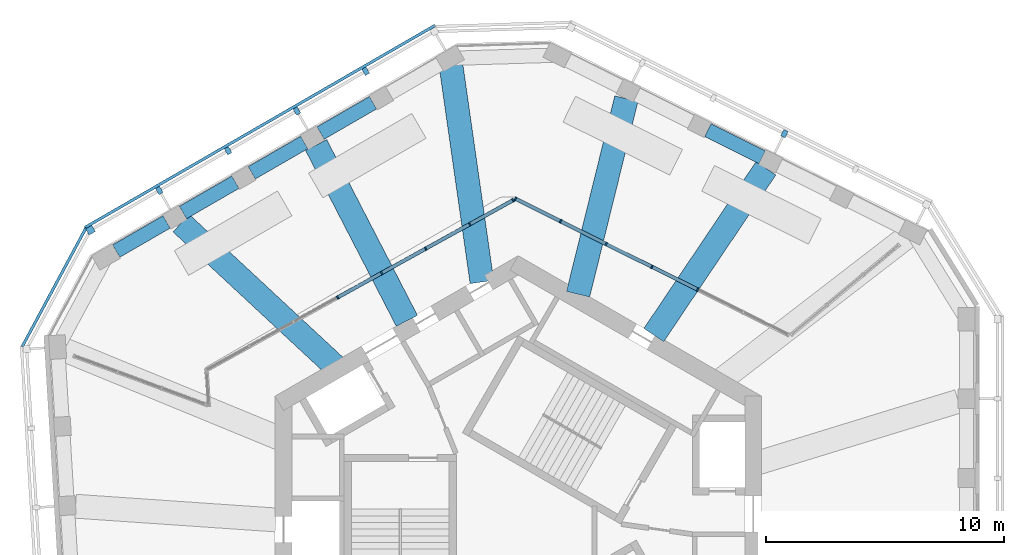
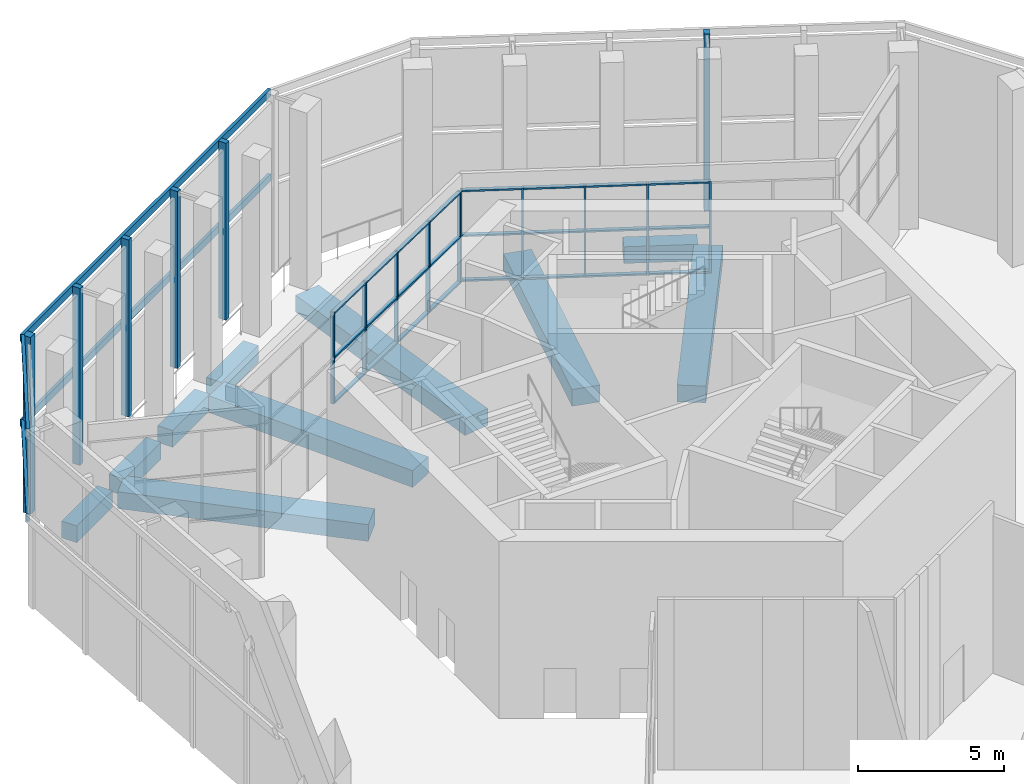
# One storey, part 4 of 16: 44 members, 10 beams, 5 elements without a shape of their own.
"""IFC4 building model written with IfcOpenShell, lengths in metres."""

from ifc_helpers import new_model, si_unit, direction, frame, origin, origin_2d, place, context, subcontext, project, spatial, rectangle, extrude, material, material_profile, profile_set, type_object, element, aggregate, save


model = new_model("IFC4")

# Units and contexts
model_context = context("Model", 3, precision=1e-05, world=origin(), true_north=direction((0.0, 1.0)))
body_context = subcontext(model_context, "Body", "Model", "MODEL_VIEW")
ifc_project = project(units=[si_unit("LENGTHUNIT", "METRE"), si_unit("AREAUNIT", "SQUARE_METRE"), si_unit("VOLUMEUNIT", "CUBIC_METRE"), si_unit("PLANEANGLEUNIT", "RADIAN"), si_unit("MASSUNIT", "GRAM", prefix="KILO")], contexts=[model_context])

# Site, building, storey
site_placement = place(None, origin())
site = spatial("IfcSite", under=ifc_project, at=site_placement, CompositionType="ELEMENT")
building_placement = place(site_placement, origin())
building = spatial("IfcBuilding", under=site, at=building_placement, Name="Vanh Sen Convention Tower", CompositionType="ELEMENT")
storey_placement = place(building_placement, frame((0.0, 0.0, 278.300048828125)))
storey = spatial("IfcBuildingStorey", under=building, at=storey_placement, Name="L69", CompositionType="ELEMENT", Elevation=278.300048828125)

# Curtain wall, members
ifc_material_1 = material(Name="Aluminium structural glazing system", Category="aluminium")
curtain_wall_type_1 = type_object("IfcCurtainWallType", Name="Sky garden structural glazing", PredefinedType="NOTDEFINED", material=ifc_material_1)
curtain_wall_1_placement = place(storey_placement, origin())
curtain_wall_1 = element("IfcCurtainWall", 1, at=curtain_wall_1_placement, inside=storey, type_object=curtain_wall_type_1, Name="Winter garden glazing 3 L69", PredefinedType="NOTDEFINED")
ifc_material_2 = material(Name="Aluminium mullion", Category="aluminium")
ifc_material_profile_1 = material_profile(ifc_material_2, rectangle(XDim=0.14990234375, YDim=0.070068359375, at=origin_2d()), Name="Garden glazing mullion 70 x 150")
ifc_profile_set_1 = profile_set([ifc_material_profile_1], Name="Aluminium mullion")
member_type_1 = type_object("IfcMemberType", Name="Garden glazing mullion 70 x 150", PredefinedType="MULLION", material=ifc_profile_set_1)
member_1_placement = place(storey_placement, frame((-7.576171875, 10.028076171875, 2.599853515625), z_axis=(0.0, 0.0, 1.0), x_axis=(-0.484738524975, 0.874659112115, 0.0)))
member_1 = element("IfcMember", 2, at=member_1_placement, type_object=member_type_1, Name="CW5 mullion 4", PredefinedType="MULLION", context=body_context, shape_type="SweptSolid", body=[
    extrude(rectangle(XDim=0.14990234375, YDim=0.070068359375, at=origin_2d()), origin(), (0.0, 0.0, 1.0), 3.820068359375),
])
member_2_placement = place(storey_placement, frame((-5.729248046875, 11.0517578125, 2.599853515625), z_axis=(0.0, 0.0, 1.0), x_axis=(-0.484738524975, 0.874659112115, 0.0)))
member_2 = element("IfcMember", 3, at=member_2_placement, type_object=member_type_1, Name="CW5 mullion 5", PredefinedType="MULLION", context=body_context, shape_type="SweptSolid", body=[
    extrude(rectangle(XDim=0.14990234375, YDim=0.070068359375, at=origin_2d()), origin(), (0.0, 0.0, 1.0), 3.820068359375),
])
member_3_placement = place(storey_placement, frame((-3.88232421875, 12.0751953125, 2.599853515625), z_axis=(0.0, 0.0, 1.0), x_axis=(-0.484738524975, 0.874659112115, 0.0)))
member_3 = element("IfcMember", 4, at=member_3_placement, type_object=member_type_1, Name="CW5 mullion 6", PredefinedType="MULLION", context=body_context, shape_type="SweptSolid", body=[
    extrude(rectangle(XDim=0.14990234375, YDim=0.070068359375, at=origin_2d()), origin(), (0.0, 0.0, 1.0), 3.820068359375),
])
member_4_placement = place(storey_placement, frame((-2.035400390625, 13.098876953125, 2.599853515625), z_axis=(0.0, 0.0, 1.0), x_axis=(-0.484738524975, 0.874659112115, 0.0)))
member_4 = element("IfcMember", 5, at=member_4_placement, type_object=member_type_1, Name="CW5 mullion 7", PredefinedType="MULLION", context=body_context, shape_type="SweptSolid", body=[
    extrude(rectangle(XDim=0.14990234375, YDim=0.070068359375, at=origin_2d()), origin(), (0.0, 0.0, 1.0), 3.820068359375),
])
member_5_placement = place(storey_placement, frame((-0.21923828125, 14.10546875, 2.599853515625), z_axis=(0.0, 0.0, 1.0), x_axis=(-0.484738524975, 0.874659112115, 0.0)))
member_5 = element("IfcMember", 6, at=member_5_placement, type_object=member_type_1, Name="CW5 mullion 8", PredefinedType="MULLION", context=body_context, shape_type="SweptSolid", body=[
    extrude(rectangle(XDim=0.14990234375, YDim=0.070068359375, at=origin_2d()), origin(), (0.0, 0.0, 1.0), 3.820068359375),
])

curtain_wall_2_placement = place(storey_placement, origin())
curtain_wall_2 = element("IfcCurtainWall", 7, at=curtain_wall_2_placement, inside=storey, type_object=curtain_wall_type_1, Name="Winter garden glazing 4 L69", PredefinedType="NOTDEFINED")
member_6_placement = place(storey_placement, frame((-0.11767578125, 14.165771484375, 2.599853515625), z_axis=(0.0, 0.0, 1.0), x_axis=(0.446199060096, 0.894933739876, 0.0)))
member_6 = element("IfcMember", 8, at=member_6_placement, type_object=member_type_1, Name="CW5 mullion 1", PredefinedType="MULLION", context=body_context, shape_type="SweptSolid", body=[
    extrude(rectangle(XDim=0.14990234375, YDim=0.070068359375, at=origin_2d()), origin(), (0.0, 0.0, 1.0), 3.820068359375),
])
member_7_placement = place(storey_placement, frame((1.7685546875, 13.225341796875, 2.599853515625), z_axis=(0.0, 0.0, 1.0), x_axis=(0.446199060096, 0.894933739876, 0.0)))
member_7 = element("IfcMember", 9, at=member_7_placement, type_object=member_type_1, Name="CW5 mullion 2", PredefinedType="MULLION", context=body_context, shape_type="SweptSolid", body=[
    extrude(rectangle(XDim=0.14990234375, YDim=0.070068359375, at=origin_2d()), origin(), (0.0, 0.0, 1.0), 3.820068359375),
])
member_8_placement = place(storey_placement, frame((3.686279296875, 12.269287109375, 2.599853515625), z_axis=(0.0, 0.0, 1.0), x_axis=(0.446199060096, 0.894933739876, 0.0)))
member_8 = element("IfcMember", 10, at=member_8_placement, type_object=member_type_1, Name="CW5 mullion 3", PredefinedType="MULLION", context=body_context, shape_type="SweptSolid", body=[
    extrude(rectangle(XDim=0.14990234375, YDim=0.070068359375, at=origin_2d()), origin(), (0.0, 0.0, 1.0), 3.820068359375),
])
member_9_placement = place(storey_placement, frame((5.60400390625, 11.313232421875, 2.599853515625), z_axis=(0.0, 0.0, 1.0), x_axis=(0.446199060096, 0.894933739876, 0.0)))
member_9 = element("IfcMember", 11, at=member_9_placement, type_object=member_type_1, Name="CW5 mullion 4", PredefinedType="MULLION", context=body_context, shape_type="SweptSolid", body=[
    extrude(rectangle(XDim=0.14990234375, YDim=0.070068359375, at=origin_2d()), origin(), (0.0, 0.0, 1.0), 3.820068359375),
])
member_10_placement = place(storey_placement, frame((7.521484375, 10.35693359375, 2.599853515625), z_axis=(0.0, 0.0, 1.0), x_axis=(0.446199060096, 0.894933739876, 0.0)))
member_10 = element("IfcMember", 12, at=member_10_placement, type_object=member_type_1, Name="CW5 mullion 5", PredefinedType="MULLION", context=body_context, shape_type="SweptSolid", body=[
    extrude(rectangle(XDim=0.14990234375, YDim=0.070068359375, at=origin_2d()), origin(), (0.0, 0.0, 1.0), 3.820068359375),
])

# Member
ifc_material_3 = material(Name="Aluminium transom", Category="aluminium")
ifc_material_profile_2 = material_profile(ifc_material_3, rectangle(XDim=0.14990234375, YDim=0.070068359375, at=origin_2d()), Name="Garden glazing transom 150 x 70")
ifc_profile_set_2 = profile_set([ifc_material_profile_2], Name="Aluminium transom")
member_type_2 = type_object("IfcMemberType", Name="Garden glazing transom 150 x 70", PredefinedType="USERDEFINED", material=ifc_profile_set_2)
member_11_placement = place(storey_placement, frame((-7.545654296875, 10.045166015625, 2.635009765625), z_axis=(0.874681382658, 0.48469833797, 0.0), x_axis=(-0.48469833797, 0.874681382658, 0.0)))
member_11 = element("IfcMember", 13, at=member_11_placement, type_object=member_type_2, Name="CW5 transom 4.1", ObjectType="TRANSOM", PredefinedType="USERDEFINED", context=body_context, shape_type="SweptSolid", body=[
    extrude(rectangle(XDim=0.14990234375, YDim=0.070068359375, at=origin_2d()), origin(), (0.0, 0.0, 1.0), 2.04150390625),
])

member_12_placement = place(storey_placement, frame((-7.545654296875, 10.045166015625, 4.510009765625), z_axis=(0.874681382658, 0.48469833797, 0.0), x_axis=(-0.48469833797, 0.874681382658, 0.0)))
member_12 = element("IfcMember", 14, at=member_12_placement, type_object=member_type_2, Name="CW5 transom 4.2", ObjectType="TRANSOM", PredefinedType="USERDEFINED", context=body_context, shape_type="SweptSolid", body=[
    extrude(rectangle(XDim=0.14990234375, YDim=0.070068359375, at=origin_2d()), origin(), (0.0, 0.0, 1.0), 2.04150390625),
])

member_13_placement = place(storey_placement, frame((-7.545654296875, 10.045166015625, 6.385009765625), z_axis=(0.874681382658, 0.48469833797, 0.0), x_axis=(-0.48469833797, 0.874681382658, 0.0)))
member_13 = element("IfcMember", 15, at=member_13_placement, type_object=member_type_2, Name="CW5 transom 4.3", ObjectType="TRANSOM", PredefinedType="USERDEFINED", context=body_context, shape_type="SweptSolid", body=[
    extrude(rectangle(XDim=0.14990234375, YDim=0.070068359375, at=origin_2d()), origin(), (0.0, 0.0, 1.0), 2.04150390625),
])

member_14_placement = place(storey_placement, frame((-5.69873046875, 11.068603515625, 2.635009765625), z_axis=(0.874630679834, 0.484789824453, 0.0), x_axis=(-0.484789824453, 0.874630679834, 0.0)))
member_14 = element("IfcMember", 16, at=member_14_placement, type_object=member_type_2, Name="CW5 transom 5.1", ObjectType="TRANSOM", PredefinedType="USERDEFINED", context=body_context, shape_type="SweptSolid", body=[
    extrude(rectangle(XDim=0.14990234375, YDim=0.070068359375, at=origin_2d()), origin(), (0.0, 0.0, 1.0), 2.04150390625),
])

member_15_placement = place(storey_placement, frame((-5.69873046875, 11.068603515625, 4.510009765625), z_axis=(0.874630679834, 0.484789824453, 0.0), x_axis=(-0.484789824453, 0.874630679834, 0.0)))
member_15 = element("IfcMember", 17, at=member_15_placement, type_object=member_type_2, Name="CW5 transom 5.2", ObjectType="TRANSOM", PredefinedType="USERDEFINED", context=body_context, shape_type="SweptSolid", body=[
    extrude(rectangle(XDim=0.14990234375, YDim=0.070068359375, at=origin_2d()), origin(), (0.0, 0.0, 1.0), 2.04150390625),
])

member_16_placement = place(storey_placement, frame((-5.69873046875, 11.068603515625, 6.385009765625), z_axis=(0.874630679834, 0.484789824453, 0.0), x_axis=(-0.484789824453, 0.874630679834, 0.0)))
member_16 = element("IfcMember", 18, at=member_16_placement, type_object=member_type_2, Name="CW5 transom 5.3", ObjectType="TRANSOM", PredefinedType="USERDEFINED", context=body_context, shape_type="SweptSolid", body=[
    extrude(rectangle(XDim=0.14990234375, YDim=0.070068359375, at=origin_2d()), origin(), (0.0, 0.0, 1.0), 2.04150390625),
])

member_17_placement = place(storey_placement, frame((-3.851806640625, 12.09228515625, 2.635009765625), z_axis=(0.874681382658, 0.48469833797, 0.0), x_axis=(-0.48469833797, 0.874681382658, 0.0)))
member_17 = element("IfcMember", 19, at=member_17_placement, type_object=member_type_2, Name="CW5 transom 6.1", ObjectType="TRANSOM", PredefinedType="USERDEFINED", context=body_context, shape_type="SweptSolid", body=[
    extrude(rectangle(XDim=0.14990234375, YDim=0.070068359375, at=origin_2d()), origin(), (0.0, 0.0, 1.0), 2.04150390625),
])

member_18_placement = place(storey_placement, frame((-3.851806640625, 12.09228515625, 4.510009765625), z_axis=(0.874681382658, 0.48469833797, 0.0), x_axis=(-0.48469833797, 0.874681382658, 0.0)))
member_18 = element("IfcMember", 20, at=member_18_placement, type_object=member_type_2, Name="CW5 transom 6.2", ObjectType="TRANSOM", PredefinedType="USERDEFINED", context=body_context, shape_type="SweptSolid", body=[
    extrude(rectangle(XDim=0.14990234375, YDim=0.070068359375, at=origin_2d()), origin(), (0.0, 0.0, 1.0), 2.04150390625),
])

member_19_placement = place(storey_placement, frame((-3.851806640625, 12.09228515625, 6.385009765625), z_axis=(0.874681382658, 0.48469833797, 0.0), x_axis=(-0.48469833797, 0.874681382658, 0.0)))
member_19 = element("IfcMember", 21, at=member_19_placement, type_object=member_type_2, Name="CW5 transom 6.3", ObjectType="TRANSOM", PredefinedType="USERDEFINED", context=body_context, shape_type="SweptSolid", body=[
    extrude(rectangle(XDim=0.14990234375, YDim=0.070068359375, at=origin_2d()), origin(), (0.0, 0.0, 1.0), 2.04150390625),
])

member_20_placement = place(storey_placement, frame((-2.0048828125, 13.11572265625, 2.635009765625), z_axis=(0.874667566522, 0.484723269582, 0.0), x_axis=(-0.484723269582, 0.874667566522, 0.0)))
member_20 = element("IfcMember", 22, at=member_20_placement, type_object=member_type_2, Name="CW5 transom 7.1", ObjectType="TRANSOM", PredefinedType="USERDEFINED", context=body_context, shape_type="SweptSolid", body=[
    extrude(rectangle(XDim=0.14990234375, YDim=0.070068359375, at=origin_2d()), origin(), (0.0, 0.0, 1.0), 2.006591796875),
])

member_21_placement = place(storey_placement, frame((-2.0048828125, 13.11572265625, 4.510009765625), z_axis=(0.874667566522, 0.484723269582, 0.0), x_axis=(-0.484723269582, 0.874667566522, 0.0)))
member_21 = element("IfcMember", 23, at=member_21_placement, type_object=member_type_2, Name="CW5 transom 7.2", ObjectType="TRANSOM", PredefinedType="USERDEFINED", context=body_context, shape_type="SweptSolid", body=[
    extrude(rectangle(XDim=0.14990234375, YDim=0.070068359375, at=origin_2d()), origin(), (0.0, 0.0, 1.0), 2.006591796875),
])

member_22_placement = place(storey_placement, frame((-2.0048828125, 13.11572265625, 6.385009765625), z_axis=(0.874667566522, 0.484723269582, 0.0), x_axis=(-0.484723269582, 0.874667566522, 0.0)))
member_22 = element("IfcMember", 24, at=member_22_placement, type_object=member_type_2, Name="CW5 transom 7.3", ObjectType="TRANSOM", PredefinedType="USERDEFINED", context=body_context, shape_type="SweptSolid", body=[
    extrude(rectangle(XDim=0.14990234375, YDim=0.070068359375, at=origin_2d()), origin(), (0.0, 0.0, 1.0), 2.006591796875),
])

aggregate(curtain_wall_1, [member_1, member_2, member_3, member_4, member_5, member_11, member_12, member_13, member_14, member_15, member_16, member_17, member_18, member_19, member_20, member_21, member_22])

member_23_placement = place(storey_placement, frame((-0.08642578125, 14.150146484375, 2.635009765625), z_axis=(0.894953717737, -0.446158988601, 0.0), x_axis=(0.446158988601, 0.894953717737, 0.0)))
member_23 = element("IfcMember", 25, at=member_23_placement, type_object=member_type_2, Name="CW5 transom 1.1", ObjectType="TRANSOM", PredefinedType="USERDEFINED", context=body_context, shape_type="SweptSolid", body=[
    extrude(rectangle(XDim=0.14990234375, YDim=0.070068359375, at=origin_2d()), origin(), (0.0, 0.0, 1.0), 2.037841796875),
])

member_24_placement = place(storey_placement, frame((-0.08642578125, 14.150146484375, 4.510009765625), z_axis=(0.894953717737, -0.446158988601, 0.0), x_axis=(0.446158988601, 0.894953717737, 0.0)))
member_24 = element("IfcMember", 26, at=member_24_placement, type_object=member_type_2, Name="CW5 transom 1.2", ObjectType="TRANSOM", PredefinedType="USERDEFINED", context=body_context, shape_type="SweptSolid", body=[
    extrude(rectangle(XDim=0.14990234375, YDim=0.070068359375, at=origin_2d()), origin(), (0.0, 0.0, 1.0), 2.037841796875),
])

member_25_placement = place(storey_placement, frame((-0.08642578125, 14.150146484375, 6.385009765625), z_axis=(0.894953717737, -0.446158988601, 0.0), x_axis=(0.446158988601, 0.894953717737, 0.0)))
member_25 = element("IfcMember", 27, at=member_25_placement, type_object=member_type_2, Name="CW5 transom 1.3", ObjectType="TRANSOM", PredefinedType="USERDEFINED", context=body_context, shape_type="SweptSolid", body=[
    extrude(rectangle(XDim=0.14990234375, YDim=0.070068359375, at=origin_2d()), origin(), (0.0, 0.0, 1.0), 2.037841796875),
])

member_26_placement = place(storey_placement, frame((1.7998046875, 13.209716796875, 2.635009765625), z_axis=(0.894968297321, -0.446129742105, 0.0), x_axis=(0.446129742105, 0.894968297321, 0.0)))
member_26 = element("IfcMember", 28, at=member_26_placement, type_object=member_type_2, Name="CW5 transom 2.1", ObjectType="TRANSOM", PredefinedType="USERDEFINED", context=body_context, shape_type="SweptSolid", body=[
    extrude(rectangle(XDim=0.14990234375, YDim=0.070068359375, at=origin_2d()), origin(), (0.0, 0.0, 1.0), 2.072998046875),
])

member_27_placement = place(storey_placement, frame((1.7998046875, 13.209716796875, 4.510009765625), z_axis=(0.894968297321, -0.446129742105, 0.0), x_axis=(0.446129742105, 0.894968297321, 0.0)))
member_27 = element("IfcMember", 29, at=member_27_placement, type_object=member_type_2, Name="CW5 transom 2.2", ObjectType="TRANSOM", PredefinedType="USERDEFINED", context=body_context, shape_type="SweptSolid", body=[
    extrude(rectangle(XDim=0.14990234375, YDim=0.070068359375, at=origin_2d()), origin(), (0.0, 0.0, 1.0), 2.072998046875),
])

member_28_placement = place(storey_placement, frame((1.7998046875, 13.209716796875, 6.385009765625), z_axis=(0.894968297321, -0.446129742105, 0.0), x_axis=(0.446129742105, 0.894968297321, 0.0)))
member_28 = element("IfcMember", 30, at=member_28_placement, type_object=member_type_2, Name="CW5 transom 2.3", ObjectType="TRANSOM", PredefinedType="USERDEFINED", context=body_context, shape_type="SweptSolid", body=[
    extrude(rectangle(XDim=0.14990234375, YDim=0.070068359375, at=origin_2d()), origin(), (0.0, 0.0, 1.0), 2.072998046875),
])

member_29_placement = place(storey_placement, frame((3.717529296875, 12.253662109375, 2.635009765625), z_axis=(0.894944852753, -0.446176770496, 0.0), x_axis=(0.446176770496, 0.894944852753, 0.0)))
member_29 = element("IfcMember", 31, at=member_29_placement, type_object=member_type_2, Name="CW5 transom 3.1", ObjectType="TRANSOM", PredefinedType="USERDEFINED", context=body_context, shape_type="SweptSolid", body=[
    extrude(rectangle(XDim=0.14990234375, YDim=0.070068359375, at=origin_2d()), origin(), (0.0, 0.0, 1.0), 2.07275390625),
])

member_30_placement = place(storey_placement, frame((3.717529296875, 12.253662109375, 4.510009765625), z_axis=(0.894944852753, -0.446176770496, 0.0), x_axis=(0.446176770496, 0.894944852753, 0.0)))
member_30 = element("IfcMember", 32, at=member_30_placement, type_object=member_type_2, Name="CW5 transom 3.2", ObjectType="TRANSOM", PredefinedType="USERDEFINED", context=body_context, shape_type="SweptSolid", body=[
    extrude(rectangle(XDim=0.14990234375, YDim=0.070068359375, at=origin_2d()), origin(), (0.0, 0.0, 1.0), 2.07275390625),
])

member_31_placement = place(storey_placement, frame((3.717529296875, 12.253662109375, 6.385009765625), z_axis=(0.894944852753, -0.446176770496, 0.0), x_axis=(0.446176770496, 0.894944852753, 0.0)))
member_31 = element("IfcMember", 33, at=member_31_placement, type_object=member_type_2, Name="CW5 transom 3.3", ObjectType="TRANSOM", PredefinedType="USERDEFINED", context=body_context, shape_type="SweptSolid", body=[
    extrude(rectangle(XDim=0.14990234375, YDim=0.070068359375, at=origin_2d()), origin(), (0.0, 0.0, 1.0), 2.07275390625),
])

member_32_placement = place(storey_placement, frame((5.63525390625, 11.297607421875, 2.635009765625), z_axis=(0.89489781752, -0.446271101683, 0.0), x_axis=(0.446271101683, 0.89489781752, 0.0)))
member_32 = element("IfcMember", 34, at=member_32_placement, type_object=member_type_2, Name="CW5 transom 4.1", ObjectType="TRANSOM", PredefinedType="USERDEFINED", context=body_context, shape_type="SweptSolid", body=[
    extrude(rectangle(XDim=0.14990234375, YDim=0.070068359375, at=origin_2d()), origin(), (0.0, 0.0, 1.0), 2.07275390625),
])

member_33_placement = place(storey_placement, frame((5.63525390625, 11.297607421875, 4.510009765625), z_axis=(0.89489781752, -0.446271101683, 0.0), x_axis=(0.446271101683, 0.89489781752, 0.0)))
member_33 = element("IfcMember", 35, at=member_33_placement, type_object=member_type_2, Name="CW5 transom 4.2", ObjectType="TRANSOM", PredefinedType="USERDEFINED", context=body_context, shape_type="SweptSolid", body=[
    extrude(rectangle(XDim=0.14990234375, YDim=0.070068359375, at=origin_2d()), origin(), (0.0, 0.0, 1.0), 2.07275390625),
])

member_34_placement = place(storey_placement, frame((5.63525390625, 11.297607421875, 6.385009765625), z_axis=(0.89489781752, -0.446271101683, 0.0), x_axis=(0.446271101683, 0.89489781752, 0.0)))
member_34 = element("IfcMember", 36, at=member_34_placement, type_object=member_type_2, Name="CW5 transom 4.3", ObjectType="TRANSOM", PredefinedType="USERDEFINED", context=body_context, shape_type="SweptSolid", body=[
    extrude(rectangle(XDim=0.14990234375, YDim=0.070068359375, at=origin_2d()), origin(), (0.0, 0.0, 1.0), 2.07275390625),
])

aggregate(curtain_wall_2, [member_6, member_7, member_8, member_9, member_10, member_23, member_24, member_25, member_26, member_27, member_28, member_29, member_30, member_31, member_32, member_33, member_34])

# Curtain wall, member
ifc_material_4 = material(Name="Concrete C50/60", Category="concrete")
curtain_wall_type_2 = type_object("IfcCurtainWallType", Name="Outer skin office zone", PredefinedType="NOTDEFINED", material=ifc_material_4)
curtain_wall_3_placement = place(storey_placement, origin())
curtain_wall_3 = element("IfcCurtainWall", 37, at=curtain_wall_3_placement, inside=storey, type_object=curtain_wall_type_2, Name="OUTER SKIN NW L69", PredefinedType="NOTDEFINED")
ifc_material_profile_3 = material_profile(ifc_material_4, rectangle(XDim=0.300048828125, YDim=0.300048828125, at=origin_2d()), Name="Outer skin precast corner fin 300 x 300")
ifc_profile_set_3 = profile_set([ifc_material_profile_3], Name="Concrete C50/60")
member_type_3 = type_object("IfcMemberType", Name="Outer skin precast corner fin 300 x 300", PredefinedType="MULLION", material=ifc_profile_set_3)
member_35_placement = place(storey_placement, frame((-17.94091796875, 12.851318359375, 0.0), z_axis=(0.0, 0.0, 1.0), x_axis=(-0.866025403784, -0.5, 0.0)))
member_35 = element("IfcMember", 38, at=member_35_placement, type_object=member_type_3, Name="OUTER SKIN CORNER FIN 6 NW L69", PredefinedType="MULLION", context=body_context, shape_type="SweptSolid", body=[
    extrude(rectangle(XDim=0.300048828125, YDim=0.300048828125, at=origin_2d()), origin(), (0.0, 0.0, 1.0), 7.39990234375),
])

curtain_wall_4_placement = place(storey_placement, origin())
curtain_wall_4 = element("IfcCurtainWall", 39, at=curtain_wall_4_placement, inside=storey, type_object=curtain_wall_type_2, Name="OUTER SKIN NE L69", PredefinedType="NOTDEFINED")
ifc_material_profile_4 = material_profile(ifc_material_4, rectangle(XDim=0.199951171875, YDim=0.300048828125, at=origin_2d()), Name="Outer skin precast fin 200 x 300")
ifc_profile_set_4 = profile_set([ifc_material_profile_4], Name="Concrete C50/60")
member_type_4 = type_object("IfcMemberType", Name="Outer skin precast fin 200 x 300", PredefinedType="MULLION", material=ifc_profile_set_4)
member_36_placement = place(storey_placement, frame((11.15966796875, 16.895751953125, 0.0), z_axis=(0.0, 0.0, 1.0), x_axis=(-0.894934361602, 0.44619781311, 0.0)))
member_36 = element("IfcMember", 40, at=member_36_placement, type_object=member_type_4, Name="OUTER SKIN fin 3 NE L69", PredefinedType="MULLION", context=body_context, shape_type="SweptSolid", body=[
    extrude(rectangle(XDim=0.199951171875, YDim=0.300048828125, at=origin_2d()), origin(), (0.0, 0.0, 1.0), 7.39990234375),
])
aggregate(curtain_wall_4, [member_36])

# Member
member_37_placement = place(storey_placement, frame((-6.399658203125, 19.5146484375, 0.0), z_axis=(0.0, 0.0, 1.0), x_axis=(-0.866025403784, -0.5, 0.0)))
member_37 = element("IfcMember", 41, at=member_37_placement, type_object=member_type_4, Name="OUTER SKIN fin 2 NW L69", PredefinedType="MULLION", context=body_context, shape_type="SweptSolid", body=[
    extrude(rectangle(XDim=0.199951171875, YDim=0.300048828125, at=origin_2d()), origin(), (0.0, 0.0, 1.0), 7.39990234375),
])

member_38_placement = place(storey_placement, frame((-9.284912109375, 17.848876953125, 0.0), z_axis=(0.0, 0.0, 1.0), x_axis=(-0.866025403784, -0.5, 0.0)))
member_38 = element("IfcMember", 42, at=member_38_placement, type_object=member_type_4, Name="OUTER SKIN fin 3 NW L69", PredefinedType="MULLION", context=body_context, shape_type="SweptSolid", body=[
    extrude(rectangle(XDim=0.199951171875, YDim=0.300048828125, at=origin_2d()), origin(), (0.0, 0.0, 1.0), 7.39990234375),
])

member_39_placement = place(storey_placement, frame((-12.170166015625, 16.18310546875, 0.0), z_axis=(0.0, 0.0, 1.0), x_axis=(-0.866025403784, -0.5, 0.0)))
member_39 = element("IfcMember", 43, at=member_39_placement, type_object=member_type_4, Name="OUTER SKIN fin 4 NW L69", PredefinedType="MULLION", context=body_context, shape_type="SweptSolid", body=[
    extrude(rectangle(XDim=0.199951171875, YDim=0.300048828125, at=origin_2d()), origin(), (0.0, 0.0, 1.0), 7.39990234375),
])

member_40_placement = place(storey_placement, frame((-15.055419921875, 14.51708984375, 0.0), z_axis=(0.0, 0.0, 1.0), x_axis=(-0.866025403784, -0.5, 0.0)))
member_40 = element("IfcMember", 44, at=member_40_placement, type_object=member_type_4, Name="OUTER SKIN fin 5 NW L69", PredefinedType="MULLION", context=body_context, shape_type="SweptSolid", body=[
    extrude(rectangle(XDim=0.199951171875, YDim=0.300048828125, at=origin_2d()), origin(), (0.0, 0.0, 1.0), 7.39990234375),
])

ifc_material_profile_5 = material_profile(ifc_material_4, rectangle(XDim=0.1201171875, YDim=0.300048828125, at=origin_2d()), Name="Outer skin precast spandrel band 300 x 120")
ifc_profile_set_5 = profile_set([ifc_material_profile_5], Name="Concrete C50/60")
member_type_5 = type_object("IfcMemberType", Name="Outer skin precast spandrel band 300 x 120", PredefinedType="USERDEFINED", material=ifc_profile_set_5)
member_41_placement = place(storey_placement, frame((-3.489501953125, 21.4375, 7.25), z_axis=(-0.866022320763, -0.500005339912, 0.0), x_axis=(0.500005339912, -0.866022320763, 0.0)))
member_41 = element("IfcMember", 45, at=member_41_placement, type_object=member_type_5, Name="OUTER SKIN spandrel band NW L69", ObjectType="TRANSOM", PredefinedType="USERDEFINED", context=body_context, shape_type="SweptSolid", body=[
    extrude(rectangle(XDim=0.1201171875, YDim=0.300048828125, at=origin_2d()), origin(), (0.0, 0.0, 1.0), 16.958251953125),
])

member_42_placement = place(storey_placement, frame((-3.489501953125, 21.4375, 3.699951171875), z_axis=(-0.866022320763, -0.500005339912, 0.0), x_axis=(0.500005339912, -0.866022320763, 0.0)))
member_42 = element("IfcMember", 46, at=member_42_placement, type_object=member_type_5, Name="OUTER SKIN spandrel band NW L69 mid", ObjectType="TRANSOM", PredefinedType="USERDEFINED", context=body_context, shape_type="SweptSolid", body=[
    extrude(rectangle(XDim=0.1201171875, YDim=0.300048828125, at=origin_2d()), origin(), (0.0, 0.0, 1.0), 16.958251953125),
])

aggregate(curtain_wall_3, [member_37, member_38, member_39, member_40, member_35, member_41, member_42])

# Curtain wall, members
curtain_wall_5_placement = place(storey_placement, origin())
curtain_wall_5 = element("IfcCurtainWall", 47, at=curtain_wall_5_placement, inside=storey, type_object=curtain_wall_type_2, Name="OUTER SKIN CH3 L69", PredefinedType="NOTDEFINED")
member_43_placement = place(storey_placement, frame((-18.125732421875, 12.95068359375, 7.25), z_axis=(-0.473325096028, -0.880887821161, 0.0), x_axis=(0.880887821161, -0.473325096028, 0.0)))
member_43 = element("IfcMember", 48, at=member_43_placement, type_object=member_type_5, Name="OUTER SKIN spandrel band CH3 L69", ObjectType="TRANSOM", PredefinedType="USERDEFINED", context=body_context, shape_type="SweptSolid", body=[
    extrude(rectangle(XDim=0.1201171875, YDim=0.300048828125, at=origin_2d()), origin(), (0.0, 0.0, 1.0), 5.65771484375),
])
member_44_placement = place(storey_placement, frame((-18.125732421875, 12.95068359375, 3.699951171875), z_axis=(-0.473325096028, -0.880887821161, 0.0), x_axis=(0.880887821161, -0.473325096028, 0.0)))
member_44 = element("IfcMember", 49, at=member_44_placement, type_object=member_type_5, Name="OUTER SKIN spandrel band CH3 L69 mid", ObjectType="TRANSOM", PredefinedType="USERDEFINED", context=body_context, shape_type="SweptSolid", body=[
    extrude(rectangle(XDim=0.1201171875, YDim=0.300048828125, at=origin_2d()), origin(), (0.0, 0.0, 1.0), 5.65771484375),
])
aggregate(curtain_wall_5, [member_43, member_44])

# Beams
ifc_material_5 = material(Name="Concrete C50/60", Category="concrete")
ifc_material_profile_6 = material_profile(ifc_material_5, rectangle(XDim=1.0, YDim=0.699951171875, at=origin_2d()), Name="RC 1000X700")
ifc_profile_set_6 = profile_set([ifc_material_profile_6], Name="Concrete C50/60")
beam_type_1 = type_object("IfcBeamType", Name="Radial floor beam 1000 x 700", PredefinedType="BEAM", material=ifc_profile_set_6)
beam_1_placement = place(storey_placement, frame((10.385498046875, 15.443603515625, -0.699951171875), z_axis=(-0.558038870279, -0.829814810218, 0.0), x_axis=(0.829814810218, -0.558038870279, 0.0)))
element("IfcBeam", 50, at=beam_1_placement, inside=storey, type_object=beam_type_1, Name="Radial beam 05 L69", PredefinedType="BEAM", context=body_context, shape_type="SweptSolid", body=[
    extrude(rectangle(XDim=1.0, YDim=0.699951171875, at=origin_2d()), origin(), (0.0, 0.0, 1.0), 8.42626953125),
])
beam_2_placement = place(storey_placement, frame((4.531494140625, 18.362060546875, -0.699951171875), z_axis=(-0.239595668833, -0.970872759674, 0.0), x_axis=(0.970872759674, -0.239595668833, 0.0)))
element("IfcBeam", 51, at=beam_2_placement, inside=storey, type_object=beam_type_1, Name="Radial beam 06 L69", PredefinedType="BEAM", context=body_context, shape_type="SweptSolid", body=[
    extrude(rectangle(XDim=1.0, YDim=0.699951171875, at=origin_2d()), origin(), (0.0, 0.0, 1.0), 8.444091796875),
])
beam_3_placement = place(storey_placement, frame((-2.851318359375, 19.964111328125, -0.699951171875), z_axis=(0.141388565879, -0.989954177444, 0.0), x_axis=(0.989954177444, 0.141388565879, 0.0)))
element("IfcBeam", 52, at=beam_3_placement, inside=storey, type_object=beam_type_1, Name="Radial beam 07 L69", PredefinedType="BEAM", context=body_context, shape_type="SweptSolid", body=[
    extrude(rectangle(XDim=1.0, YDim=0.699951171875, at=origin_2d()), origin(), (0.0, 0.0, 1.0), 9.38134765625),
])
beam_4_placement = place(storey_placement, frame((-8.476318359375, 16.416015625, -0.699951171875), z_axis=(0.458787653856, -0.888545940664, 0.0), x_axis=(0.888545940664, 0.458787653856, 0.0)))
element("IfcBeam", 53, at=beam_4_placement, inside=storey, type_object=beam_type_1, Name="Radial beam 08 L69", PredefinedType="BEAM", context=body_context, shape_type="SweptSolid", body=[
    extrude(rectangle(XDim=1.0, YDim=0.699951171875, at=origin_2d()), origin(), (0.0, 0.0, 1.0), 8.29248046875),
])
beam_5_placement = place(storey_placement, frame((-14.14111328125, 13.1455078125, -0.699951171875), z_axis=(0.732424605886, -0.680848145104, 0.0), x_axis=(0.680848145104, 0.732424605886, 0.0)))
element("IfcBeam", 54, at=beam_5_placement, inside=storey, type_object=beam_type_1, Name="Radial beam 09 L69", PredefinedType="BEAM", context=body_context, shape_type="SweptSolid", body=[
    extrude(rectangle(XDim=1.0, YDim=0.699951171875, at=origin_2d()), origin(), (0.0, 0.0, 1.0), 8.794921875),
])
ifc_material_profile_7 = material_profile(ifc_material_5, rectangle(XDim=0.60009765625, YDim=0.699951171875, at=origin_2d()), Name="RC 600X700")
ifc_profile_set_7 = profile_set([ifc_material_profile_7], Name="Concrete C50/60")
beam_type_2 = type_object("IfcBeamType", Name="Spandrel beam 600 x 700", PredefinedType="SPANDREL", material=ifc_profile_set_7)
beam_6_placement = place(storey_placement, frame((10.22607421875, 15.90869140625, -0.699951171875), z_axis=(-0.894945286886, 0.446175899709, 0.0), x_axis=(-0.446175899709, -0.894945286886, 0.0)))
element("IfcBeam", 55, at=beam_6_placement, inside=storey, type_object=beam_type_2, Name="Spandrel beam 09 L69", PredefinedType="SPANDREL", context=body_context, shape_type="SweptSolid", body=[
    extrude(rectangle(XDim=0.60009765625, YDim=0.699951171875, at=origin_2d()), origin(), (0.0, 0.0, 1.0), 2.541748046875),
])
for number, where, z_axis, x_axis, name in (
    (56, (-6.091796875, 18.19140625, -0.699951171875), (-0.86597601289, -0.500085537782, 0.0), (0.500085537782, -0.86597601289, 0.0), "Spandrel beam 14 L69"),
    (57, (-8.97705078125, 16.525390625, -0.699951171875), (-0.866017611601, -0.500013496215, 0.0), (0.500013496215, -0.866017611601, 0.0), "Spandrel beam 15 L69"),
):
    element("IfcBeam", number, at=place(storey_placement, frame(where, z_axis=z_axis, x_axis=x_axis)), inside=storey, type_object=beam_type_2, Name=name, PredefinedType="SPANDREL", context=body_context, shape_type="SweptSolid", body=[
        extrude(rectangle(XDim=0.60009765625, YDim=0.699951171875, at=origin_2d()), origin(), (0.0, 0.0, 1.0), 2.54150390625),
    ])
beam_7_placement = place(storey_placement, frame((-11.8623046875, 14.859619140625, -0.699951171875), z_axis=(-0.866041625918, -0.499971901387, 0.0), x_axis=(0.499971901387, -0.866041625918, 0.0)))
element("IfcBeam", 58, at=beam_7_placement, inside=storey, type_object=beam_type_2, Name="Spandrel beam 16 L69", PredefinedType="SPANDREL", context=body_context, shape_type="SweptSolid", body=[
    extrude(rectangle(XDim=0.60009765625, YDim=0.699951171875, at=origin_2d()), origin(), (0.0, 0.0, 1.0), 2.541748046875),
])
beam_8_placement = place(storey_placement, frame((-14.74755859375, 13.19384765625, -0.699951171875), z_axis=(-0.866000753341, -0.500042693391, 0.0), x_axis=(0.500042693391, -0.866000753341, 0.0)))
element("IfcBeam", 59, at=beam_8_placement, inside=storey, type_object=beam_type_2, Name="Spandrel beam 17 L69", PredefinedType="SPANDREL", context=body_context, shape_type="SweptSolid", body=[
    extrude(rectangle(XDim=0.60009765625, YDim=0.699951171875, at=origin_2d()), origin(), (0.0, 0.0, 1.0), 2.441650390625),
])

save(model, "model.ifc")
